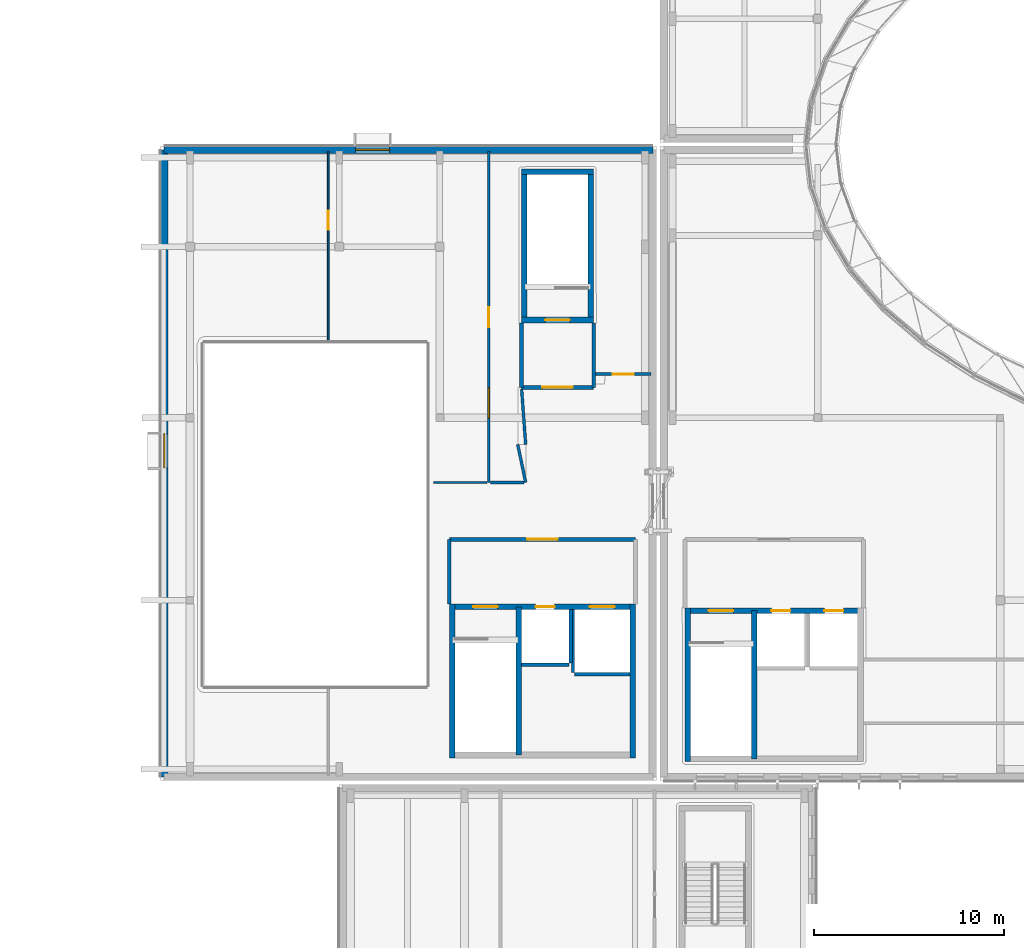
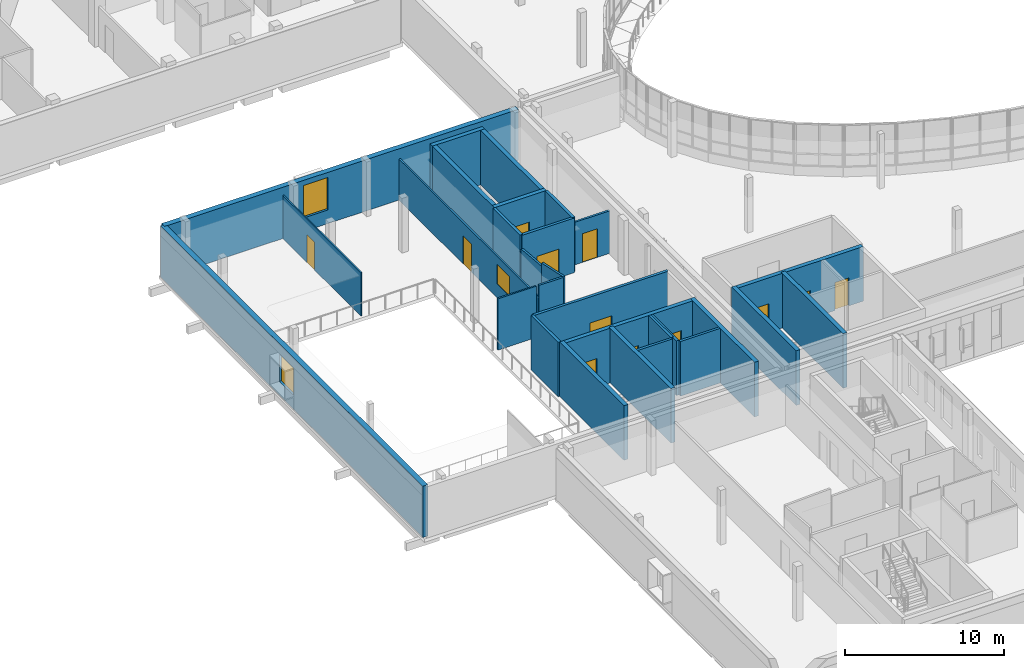
# One storey, part 39 of 73: 29 walls, 12 doors, 3 windows, 15 openings.
"""IFC4 building model written with IfcOpenShell, lengths in metres."""

from ifc_helpers import new_model, si_unit, direction, frame, frame_2d, origin, place, context, subcontext, project, spatial, rectangle, extrude, material, layer, layer_set, type_object, element, fill, save


model = new_model("IFC4")

# Units and contexts
model_context = context("Model", 3, precision=1e-05, world=origin(), true_north=direction((0.0, 1.0)))
body_context = subcontext(model_context, "Body", "Model", "MODEL_VIEW")
ifc_project = project(units=[si_unit("LENGTHUNIT", "METRE"), si_unit("AREAUNIT", "SQUARE_METRE"), si_unit("VOLUMEUNIT", "CUBIC_METRE"), si_unit("PLANEANGLEUNIT", "RADIAN"), si_unit("MASSUNIT", "GRAM", prefix="KILO")], contexts=[model_context])

# Site, building, storey
site_placement = place(None, origin())
site = spatial("IfcSite", under=ifc_project, at=site_placement, CompositionType="ELEMENT")
building_placement = place(site_placement, origin())
building = spatial("IfcBuilding", under=site, at=building_placement, Name="Mzevani Central Library", CompositionType="ELEMENT")
storey_placement = place(building_placement, frame((0.0, 0.0, 9.60009765625)))
storey = spatial("IfcBuildingStorey", under=building, at=storey_placement, Name="L02", CompositionType="ELEMENT", Elevation=9.60009765625)

# Wall
ifc_material_1 = material(Name="Concrete C35/45", Category="concrete")
ifc_layer_1 = layer(ifc_material_1, 0.199951171875, Name="Compartment Wall 200")
ifc_layer_set_1 = layer_set([ifc_layer_1], Name="Concrete C35/45")
wall_type_1 = type_object("IfcWallType", Name="Compartment Wall 200", PredefinedType="STANDARD", material=ifc_layer_set_1)
wall_1_placement = place(storey_placement, frame((35.0, 51.800048828125, 0.0), z_axis=(0.0, 0.0, 1.0), x_axis=(0.0, 1.0, 0.0)))
element("IfcWall", 1, at=wall_1_placement, inside=storey, type_object=wall_type_1, Name="L02 Protected Stair Lobby C5A Enclosure Wall 1", PredefinedType="STANDARD", context=body_context, shape_type="SweptSolid", body=[
    extrude(rectangle(XDim=3.39990234375, YDim=0.199951171875, at=frame_2d((1.699951171875, 0.0))), origin(), (0.0, 0.0, 1.0), 4.199951171875),
])

# Wall, opening, door
wall_2_placement = place(storey_placement, frame((35.0, 55.199951171875, 0.0), z_axis=(0.0, 0.0, 1.0), x_axis=(1.0, 0.0, 0.0)))
wall_2 = element("IfcWall", 2, at=wall_2_placement, inside=storey, type_object=wall_type_1, Name="L02 Protected Stair Lobby C5A Enclosure Wall 2", PredefinedType="STANDARD", context=body_context, shape_type="SweptSolid", body=[
    extrude(rectangle(XDim=9.800048828125, YDim=0.199951171875, at=frame_2d((4.89990234375, 0.0))), origin(), (0.0, 0.0, 1.0), 4.199951171875),
])
opening_1_placement = place(wall_2_placement, frame((4.10009765625, 0.0, 0.0)))
opening_1 = element("IfcOpeningElement", 3, at=opening_1_placement, cuts=wall_2, Name="Opening FD-02", PredefinedType="OPENING", context=body_context, shape_type="SweptSolid", body=[
    extrude(rectangle(XDim=1.60009765625, YDim=2.199951171875, at=frame_2d((0.800048828125, 1.10009765625))), frame((0.0, 0.10986328125, 0.0), z_axis=(0.0, -1.0, 0.0), x_axis=(1.0, 0.0, 0.0)), (0.0, 0.0, 1.0), 0.219970703125),
])
ifc_material_2 = material(Name="Fire-rated steel door assembly", Category="steel")
door_type_1 = type_object("IfcDoorType", Name="Fire Lobby Double Door 1600x2200", OperationType="NOTDEFINED", PredefinedType="DOOR", material=ifc_material_2)
door_1_placement = place(opening_1_placement, origin())
door_1 = element("IfcDoor", 4, at=door_1_placement, inside=storey, type_object=door_type_1, Name="L02 Protected Stair Lobby C5A Smoke-Control Door", OperationType="DOUBLE_DOOR_SINGLE_SWING", OverallHeight=2.199951171875, OverallWidth=1.60009765625, PredefinedType="DOOR", context=body_context, shape_type="SweptSolid", body=[
    extrude(rectangle(XDim=1.60009765625, YDim=2.199951171875, at=frame_2d((0.800048828125, 1.10009765625))), frame((0.0, 0.02490234375, 0.0), z_axis=(0.0, -1.0, 0.0), x_axis=(1.0, 0.0, 0.0)), (0.0, 0.0, 1.0), 0.050048828125),
])
fill(opening_1, door_1)

# Wall
wall_3_placement = place(storey_placement, frame((38.800048828125, 66.60009765625, 0.0), z_axis=(0.0, 0.0, 1.0), x_axis=(0.0, -1.0, 0.0)))
element("IfcWall", 5, at=wall_3_placement, inside=storey, type_object=wall_type_1, Name="L02 Stair Vestibule C5B Enclosure Wall 1", PredefinedType="STANDARD", context=body_context, shape_type="SweptSolid", body=[
    extrude(rectangle(XDim=3.400146484375, YDim=0.199951171875, at=frame_2d((1.7001953125, 0.0))), origin(), (0.0, 0.0, 1.0), 4.199951171875),
])

# Wall, opening, door
wall_4_placement = place(storey_placement, frame((38.800048828125, 63.199951171875, 0.0), z_axis=(0.0, 0.0, 1.0), x_axis=(1.0, 0.0, 0.0)))
wall_4 = element("IfcWall", 6, at=wall_4_placement, inside=storey, type_object=wall_type_1, Name="L02 Stair Vestibule C5B Enclosure Wall 2", PredefinedType="STANDARD", context=body_context, shape_type="SweptSolid", body=[
    extrude(rectangle(XDim=3.800048828125, YDim=0.199951171875, at=frame_2d((1.89990234375, 0.0))), origin(), (0.0, 0.0, 1.0), 4.199951171875),
])
opening_2_placement = place(wall_4_placement, frame((1.10009765625, 0.0, 0.0)))
opening_2 = element("IfcOpeningElement", 7, at=opening_2_placement, cuts=wall_4, Name="Opening FD-02", PredefinedType="OPENING", context=body_context, shape_type="SweptSolid", body=[
    extrude(rectangle(XDim=1.60009765625, YDim=2.199951171875, at=frame_2d((0.800048828125, 1.10009765625))), frame((0.0, 0.10986328125, 0.0), z_axis=(0.0, -1.0, 0.0), x_axis=(1.0, 0.0, 0.0)), (0.0, 0.0, 1.0), 0.219970703125),
])
door_2_placement = place(opening_2_placement, origin())
door_2 = element("IfcDoor", 8, at=door_2_placement, inside=storey, type_object=door_type_1, Name="L02 Stair Vestibule C5B Smoke-Control Door", OperationType="DOUBLE_DOOR_SINGLE_SWING", OverallHeight=2.199951171875, OverallWidth=1.60009765625, PredefinedType="DOOR", context=body_context, shape_type="SweptSolid", body=[
    extrude(rectangle(XDim=1.60009765625, YDim=2.199951171875, at=frame_2d((0.800048828125, 1.10009765625))), frame((0.0, 0.02490234375, 0.0), z_axis=(0.0, -1.0, 0.0), x_axis=(1.0, 0.0, 0.0)), (0.0, 0.0, 1.0), 0.050048828125),
])
fill(opening_2, door_2)

# Walls
wall_5_placement = place(storey_placement, frame((42.60009765625, 63.199951171875, 0.0), z_axis=(0.0, 0.0, 1.0), x_axis=(0.0, 1.0, 0.0)))
element("IfcWall", 9, at=wall_5_placement, inside=storey, type_object=wall_type_1, Name="L02 Stair Vestibule C5B Enclosure Wall 3", PredefinedType="STANDARD", context=body_context, shape_type="SweptSolid", body=[
    extrude(rectangle(XDim=3.400146484375, YDim=0.199951171875, at=frame_2d((1.7001953125, 0.0))), origin(), (0.0, 0.0, 1.0), 4.199951171875),
])
ifc_material_3 = material(Name="Concrete C40/50", Category="concrete")
ifc_layer_2 = layer(ifc_material_3, 0.300048828125, Name="Core Shear Wall 300")
ifc_layer_set_2 = layer_set([ifc_layer_2], Name="Concrete C40/50")
wall_type_2 = type_object("IfcWallType", Name="Core Shear Wall 300", PredefinedType="SHEAR", material=ifc_layer_set_2)
wall_6_placement = place(storey_placement, frame((47.550048828125, 43.5, 0.0), z_axis=(0.0, 0.0, 1.0), x_axis=(0.0, 1.0, 0.0)))
element("IfcWall", 10, at=wall_6_placement, inside=storey, type_object=wall_type_2, Name="L02 Core C1A Reading Hall West Shear Wall (-x)", PredefinedType="SHEAR", context=body_context, shape_type="SweptSolid", body=[
    extrude(rectangle(XDim=8.10009765625, YDim=0.300048828125, at=frame_2d((4.050048828125, 0.0))), origin(), (0.0, 0.0, 1.0), 4.199951171875),
])

# Wall, openings, doors
wall_7_placement = place(storey_placement, frame((47.39990234375, 51.449951171875, 0.0), z_axis=(0.0, 0.0, 1.0), x_axis=(1.0, 0.0, 0.0)))
wall_7 = element("IfcWall", 11, at=wall_7_placement, inside=storey, type_object=wall_type_2, Name="L02 Core C1A Reading Hall West Shear Wall (+y)", PredefinedType="SHEAR", context=body_context, shape_type="SweptSolid", body=[
    extrude(rectangle(XDim=9.400146484375, YDim=0.300048828125, at=frame_2d((4.7001953125, 0.0))), origin(), (0.0, 0.0, 1.0), 4.199951171875),
])
opening_3_placement = place(wall_7_placement, frame((1.25, 0.0, 0.0)))
opening_3 = element("IfcOpeningElement", 12, at=opening_3_placement, cuts=wall_7, Name="Opening FD-01", PredefinedType="OPENING", context=body_context, shape_type="SweptSolid", body=[
    extrude(rectangle(XDim=1.300048828125, YDim=2.199951171875, at=frame_2d((0.64990234375, 1.10009765625))), frame((0.0, 0.16015625, 0.0), z_axis=(0.0, -1.0, 0.0), x_axis=(1.0, 0.0, 0.0)), (0.0, 0.0, 1.0), 0.320068359375),
])
opening_4_placement = place(wall_7_placement, frame((4.550048828125, 0.0, 0.0)))
opening_4 = element("IfcOpeningElement", 13, at=opening_4_placement, cuts=wall_7, Name="Opening LD-01", PredefinedType="OPENING", context=body_context, shape_type="SweptSolid", body=[
    extrude(rectangle(XDim=1.0, YDim=2.14990234375, at=frame_2d((0.5, 1.074951171875))), frame((0.0, 0.16015625, 0.0), z_axis=(0.0, -1.0, 0.0), x_axis=(1.0, 0.0, 0.0)), (0.0, 0.0, 1.0), 0.320068359375),
])
opening_5_placement = place(wall_7_placement, frame((7.35009765625, 0.0, 0.0)))
opening_5 = element("IfcOpeningElement", 14, at=opening_5_placement, cuts=wall_7, Name="Opening LD-01", PredefinedType="OPENING", context=body_context, shape_type="SweptSolid", body=[
    extrude(rectangle(XDim=1.0, YDim=2.14990234375, at=frame_2d((0.5, 1.074951171875))), frame((0.0, 0.16015625, 0.0), z_axis=(0.0, -1.0, 0.0), x_axis=(1.0, 0.0, 0.0)), (0.0, 0.0, 1.0), 0.320068359375),
])
door_type_2 = type_object("IfcDoorType", Name="Fire Stair Door 1300x2200", OperationType="NOTDEFINED", PredefinedType="DOOR", material=ifc_material_2)
door_3_placement = place(opening_3_placement, origin())
door_3 = element("IfcDoor", 15, at=door_3_placement, inside=storey, type_object=door_type_2, Name="L02 ST-01 Protected Exit Stair Door", OperationType="SINGLE_SWING_RIGHT", OverallHeight=2.199951171875, OverallWidth=1.300048828125, PredefinedType="DOOR", context=body_context, shape_type="SweptSolid", body=[
    extrude(rectangle(XDim=1.300048828125, YDim=2.199951171875, at=frame_2d((0.64990234375, 1.10009765625))), frame((0.0, 0.02490234375, 0.0), z_axis=(0.0, -1.0, 0.0), x_axis=(1.0, 0.0, 0.0)), (0.0, 0.0, 1.0), 0.050048828125),
])
fill(opening_3, door_3)
ifc_material_4 = material(Name="Brushed stainless steel door", Category="steel")
door_type_3 = type_object("IfcDoorType", Name="Passenger Lift Landing Door 1000x2150", OperationType="NOTDEFINED", PredefinedType="DOOR", material=ifc_material_4)
door_4_placement = place(opening_4_placement, origin())
door_4 = element("IfcDoor", 16, at=door_4_placement, inside=storey, type_object=door_type_3, Name="L02 Lift LF-P1 Sliding Landing Door", OperationType="SLIDING_TO_LEFT", OverallHeight=2.14990234375, OverallWidth=1.0, PredefinedType="DOOR", context=body_context, shape_type="SweptSolid", body=[
    extrude(rectangle(XDim=1.0, YDim=2.14990234375, at=frame_2d((0.5, 1.074951171875))), frame((0.0, 0.02490234375, 0.0), z_axis=(0.0, -1.0, 0.0), x_axis=(1.0, 0.0, 0.0)), (0.0, 0.0, 1.0), 0.050048828125),
])
fill(opening_4, door_4)
door_5_placement = place(opening_5_placement, origin())
door_5 = element("IfcDoor", 17, at=door_5_placement, inside=storey, type_object=door_type_3, Name="L02 Lift LF-P2 Sliding Landing Door", OperationType="SLIDING_TO_LEFT", OverallHeight=2.14990234375, OverallWidth=1.0, PredefinedType="DOOR", context=body_context, shape_type="SweptSolid", body=[
    extrude(rectangle(XDim=1.0, YDim=2.14990234375, at=frame_2d((0.5, 1.074951171875))), frame((0.0, 0.02490234375, 0.0), z_axis=(0.0, -1.0, 0.0), x_axis=(1.0, 0.0, 0.0)), (0.0, 0.0, 1.0), 0.050048828125),
])
fill(opening_5, door_5)

# Walls
wall_8_placement = place(storey_placement, frame((51.050048828125, 43.64990234375, 0.0), z_axis=(0.0, 0.0, 1.0), x_axis=(0.0, 1.0, 0.0)))
element("IfcWall", 18, at=wall_8_placement, inside=storey, type_object=wall_type_2, Name="L02 Core C1A Reading Hall West Hoistway Shear Wall", PredefinedType="SHEAR", context=body_context, shape_type="SweptSolid", body=[
    extrude(rectangle(XDim=7.800048828125, YDim=0.300048828125, at=frame_2d((3.89990234375, 0.0))), origin(), (0.0, 0.0, 1.0), 4.199951171875),
])
wall_9_placement = place(storey_placement, frame((35.14990234375, 43.699951171875, 0.0), z_axis=(0.0, 0.0, 1.0), x_axis=(0.0, 1.0, 0.0)))
element("IfcWall", 19, at=wall_9_placement, inside=storey, type_object=wall_type_2, Name="L02 Core C5A Auditorium & Goods Core Shear Wall (-x)", PredefinedType="SHEAR", context=body_context, shape_type="SweptSolid", body=[
    extrude(rectangle(XDim=8.10009765625, YDim=0.300048828125, at=frame_2d((4.050048828125, 0.0))), origin(), (0.0, 0.0, 1.0), 4.199951171875),
])

# Wall, openings, doors
wall_10_placement = place(storey_placement, frame((35.0, 51.64990234375, 0.0), z_axis=(0.0, 0.0, 1.0), x_axis=(1.0, 0.0, 0.0)))
wall_10 = element("IfcWall", 20, at=wall_10_placement, inside=storey, type_object=wall_type_2, Name="L02 Core C5A Auditorium & Goods Core Shear Wall (+y)", PredefinedType="SHEAR", context=body_context, shape_type="SweptSolid", body=[
    extrude(rectangle(XDim=9.800048828125, YDim=0.300048828125, at=frame_2d((4.89990234375, 0.0))), origin(), (0.0, 0.0, 1.0), 4.199951171875),
])
opening_6_placement = place(wall_10_placement, frame((1.25, 0.0, 0.0)))
opening_6 = element("IfcOpeningElement", 21, at=opening_6_placement, cuts=wall_10, Name="Opening FD-01", PredefinedType="OPENING", context=body_context, shape_type="SweptSolid", body=[
    extrude(rectangle(XDim=1.300048828125, YDim=2.199951171875, at=frame_2d((0.64990234375, 1.10009765625))), frame((0.0, 0.16015625, 0.0), z_axis=(0.0, -1.0, 0.0), x_axis=(1.0, 0.0, 0.0)), (0.0, 0.0, 1.0), 0.320068359375),
])
opening_7_placement = place(wall_10_placement, frame((4.550048828125, 0.0, 0.0)))
opening_7 = element("IfcOpeningElement", 22, at=opening_7_placement, cuts=wall_10, Name="Opening LD-01", PredefinedType="OPENING", context=body_context, shape_type="SweptSolid", body=[
    extrude(rectangle(XDim=1.0, YDim=2.14990234375, at=frame_2d((0.5, 1.074951171875))), frame((0.0, 0.16015625, 0.0), z_axis=(0.0, -1.0, 0.0), x_axis=(1.0, 0.0, 0.0)), (0.0, 0.0, 1.0), 0.320068359375),
])
opening_8_placement = place(wall_10_placement, frame((7.39990234375, 0.0, 0.0)))
opening_8 = element("IfcOpeningElement", 23, at=opening_8_placement, cuts=wall_10, Name="Opening LD-03", PredefinedType="OPENING", context=body_context, shape_type="SweptSolid", body=[
    extrude(rectangle(XDim=1.300048828125, YDim=2.199951171875, at=frame_2d((0.64990234375, 1.10009765625))), frame((0.0, 0.16015625, 0.0), z_axis=(0.0, -1.0, 0.0), x_axis=(1.0, 0.0, 0.0)), (0.0, 0.0, 1.0), 0.320068359375),
])
door_6_placement = place(opening_6_placement, origin())
door_6 = element("IfcDoor", 24, at=door_6_placement, inside=storey, type_object=door_type_2, Name="L02 ST-09 Protected Exit Stair Door", OperationType="SINGLE_SWING_LEFT", OverallHeight=2.199951171875, OverallWidth=1.300048828125, PredefinedType="DOOR", context=body_context, shape_type="SweptSolid", body=[
    extrude(rectangle(XDim=1.300048828125, YDim=2.199951171875, at=frame_2d((0.64990234375, 1.10009765625))), frame((0.0, 0.02490234375, 0.0), z_axis=(0.0, -1.0, 0.0), x_axis=(1.0, 0.0, 0.0)), (0.0, 0.0, 1.0), 0.050048828125),
])
fill(opening_6, door_6)
door_type_4 = type_object("IfcDoorType", Name="Goods Lift Landing Door 1300x2200", OperationType="NOTDEFINED", PredefinedType="DOOR", material=ifc_material_4)
door_7_placement = place(opening_8_placement, origin())
door_7 = element("IfcDoor", 25, at=door_7_placement, inside=storey, type_object=door_type_4, Name="L02 Lift LF-G1 Sliding Landing Door", OperationType="SLIDING_TO_LEFT", OverallHeight=2.199951171875, OverallWidth=1.300048828125, PredefinedType="DOOR", context=body_context, shape_type="SweptSolid", body=[
    extrude(rectangle(XDim=1.300048828125, YDim=2.199951171875, at=frame_2d((0.64990234375, 1.10009765625))), frame((0.0, 0.02490234375, 0.0), z_axis=(0.0, -1.0, 0.0), x_axis=(1.0, 0.0, 0.0)), (0.0, 0.0, 1.0), 0.050048828125),
])
fill(opening_8, door_7)
door_8_placement = place(opening_7_placement, origin())
door_8 = element("IfcDoor", 26, at=door_8_placement, inside=storey, type_object=door_type_3, Name="L02 Lift LF-P4 Sliding Landing Door", OperationType="SLIDING_TO_LEFT", OverallHeight=2.14990234375, OverallWidth=1.0, PredefinedType="DOOR", context=body_context, shape_type="SweptSolid", body=[
    extrude(rectangle(XDim=1.0, YDim=2.14990234375, at=frame_2d((0.5, 1.074951171875))), frame((0.0, 0.02490234375, 0.0), z_axis=(0.0, -1.0, 0.0), x_axis=(1.0, 0.0, 0.0)), (0.0, 0.0, 1.0), 0.050048828125),
])
fill(opening_7, door_8)

# Walls
wall_11_placement = place(storey_placement, frame((44.64990234375, 51.800048828125, 0.0), z_axis=(0.0, 0.0, 1.0), x_axis=(0.0, -1.0, 0.0)))
element("IfcWall", 27, at=wall_11_placement, inside=storey, type_object=wall_type_2, Name="L02 Core C5A Auditorium & Goods Core Shear Wall (+x)", PredefinedType="SHEAR", context=body_context, shape_type="SweptSolid", body=[
    extrude(rectangle(XDim=8.10009765625, YDim=0.300048828125, at=frame_2d((4.050048828125, 0.0))), origin(), (0.0, 0.0, 1.0), 4.199951171875),
])
wall_12_placement = place(storey_placement, frame((38.64990234375, 43.85009765625, 0.0), z_axis=(0.0, 0.0, 1.0), x_axis=(0.0, 1.0, 0.0)))
element("IfcWall", 28, at=wall_12_placement, inside=storey, type_object=wall_type_2, Name="L02 Core C5A Auditorium & Goods Core Hoistway Shear Wall", PredefinedType="SHEAR", context=body_context, shape_type="SweptSolid", body=[
    extrude(rectangle(XDim=7.7998046875, YDim=0.300048828125, at=frame_2d((3.89990234375, 0.0))), origin(), (0.0, 0.0, 1.0), 4.199951171875),
])

# Wall, opening, door
wall_13_placement = place(storey_placement, frame((42.60009765625, 66.75, 0.0), z_axis=(0.0, 0.0, 1.0), x_axis=(-1.0, 0.0, 0.0)))
wall_13 = element("IfcWall", 29, at=wall_13_placement, inside=storey, type_object=wall_type_2, Name="L02 Core C5B Lecture North Escape Stair Shear Wall (-y)", PredefinedType="SHEAR", context=body_context, shape_type="SweptSolid", body=[
    extrude(rectangle(XDim=3.800048828125, YDim=0.300048828125, at=frame_2d((1.89990234375, 0.0))), origin(), (0.0, 0.0, 1.0), 4.199951171875),
])
opening_9_placement = place(wall_13_placement, frame((1.25, 0.0, 0.0)))
opening_9 = element("IfcOpeningElement", 30, at=opening_9_placement, cuts=wall_13, Name="Opening FD-01", PredefinedType="OPENING", context=body_context, shape_type="SweptSolid", body=[
    extrude(rectangle(XDim=1.300048828125, YDim=2.199951171875, at=frame_2d((0.64990234375, 1.10009765625))), frame((0.0, 0.16015625, 0.0), z_axis=(0.0, -1.0, 0.0), x_axis=(1.0, 0.0, 0.0)), (0.0, 0.0, 1.0), 0.320068359375),
])
door_9_placement = place(opening_9_placement, origin())
door_9 = element("IfcDoor", 31, at=door_9_placement, inside=storey, type_object=door_type_2, Name="L02 ST-10 Protected Exit Stair Door", OperationType="SINGLE_SWING_LEFT", OverallHeight=2.199951171875, OverallWidth=1.300048828125, PredefinedType="DOOR", context=body_context, shape_type="SweptSolid", body=[
    extrude(rectangle(XDim=1.300048828125, YDim=2.199951171875, at=frame_2d((0.64990234375, 1.10009765625))), frame((0.0, 0.02490234375, 0.0), z_axis=(0.0, -1.0, 0.0), x_axis=(1.0, 0.0, 0.0)), (0.0, 0.0, 1.0), 0.050048828125),
])
fill(opening_9, door_9)

# Walls
wall_14_placement = place(storey_placement, frame((38.949951171875, 66.60009765625, 0.0), z_axis=(0.0, 0.0, 1.0), x_axis=(0.0, 1.0, 0.0)))
element("IfcWall", 32, at=wall_14_placement, inside=storey, type_object=wall_type_2, Name="L02 Core C5B Lecture North Escape Stair Shear Wall (-x)", PredefinedType="SHEAR", context=body_context, shape_type="SweptSolid", body=[
    extrude(rectangle(XDim=8.099853515625, YDim=0.300048828125, at=frame_2d((4.0498046875, 0.0))), origin(), (0.0, 0.0, 1.0), 4.199951171875),
])
wall_15_placement = place(storey_placement, frame((38.800048828125, 74.550048828125, 0.0), z_axis=(0.0, 0.0, 1.0), x_axis=(1.0, 0.0, 0.0)))
element("IfcWall", 33, at=wall_15_placement, inside=storey, type_object=wall_type_2, Name="L02 Core C5B Lecture North Escape Stair Shear Wall (+y)", PredefinedType="SHEAR", context=body_context, shape_type="SweptSolid", body=[
    extrude(rectangle(XDim=3.800048828125, YDim=0.300048828125, at=frame_2d((1.89990234375, 0.0))), origin(), (0.0, 0.0, 1.0), 4.199951171875),
])
wall_16_placement = place(storey_placement, frame((42.449951171875, 74.699951171875, 0.0), z_axis=(0.0, 0.0, 1.0), x_axis=(0.0, -1.0, 0.0)))
element("IfcWall", 34, at=wall_16_placement, inside=storey, type_object=wall_type_2, Name="L02 Core C5B Lecture North Escape Stair Shear Wall (+x)", PredefinedType="SHEAR", context=body_context, shape_type="SweptSolid", body=[
    extrude(rectangle(XDim=8.099853515625, YDim=0.300048828125, at=frame_2d((4.0498046875, 0.0))), origin(), (0.0, 0.0, 1.0), 4.199951171875),
])

# Wall, opening, window
ifc_material_5 = material(Name="Precast concrete C40/50", Category="concrete")
ifc_layer_3 = layer(ifc_material_5, 0.3798828125, Name="Exterior Thermal Concrete Wall 380")
ifc_layer_set_3 = layer_set([ifc_layer_3], Name="Precast concrete C40/50")
wall_type_3 = type_object("IfcWallType", Name="Exterior Thermal Concrete Wall 380", PredefinedType="STANDARD", material=ifc_layer_set_3)
wall_17_placement = place(storey_placement, frame((19.989990234375, 42.68994140625, 0.0), z_axis=(0.0, 0.0, 1.0), x_axis=(0.0, 1.0, 0.0)))
wall_17 = element("IfcWall", 35, at=wall_17_placement, inside=storey, type_object=wall_type_3, Name="L02 V5 Exterior Thermal Wall (96)", PredefinedType="STANDARD", context=body_context, shape_type="SweptSolid", body=[
    extrude(rectangle(XDim=33.02001953125, YDim=0.3798828125, at=frame_2d((16.510009765625, 0.0))), origin(), (0.0, 0.0, 1.0), 3.93994140625),
])
opening_10_placement = place(wall_17_placement, frame((16.2705078125, 0.0, 1.050048828125)))
opening_10 = element("IfcOpeningElement", 36, at=opening_10_placement, cuts=wall_17, Name="Opening W-14", PredefinedType="OPENING", context=body_context, shape_type="SweptSolid", body=[
    extrude(rectangle(XDim=1.800048828125, YDim=2.10009765625, at=frame_2d((0.89990234375, 1.050048828125))), frame((0.0, 0.199951171875, 0.0), z_axis=(0.0, -1.0, 0.0), x_axis=(1.0, 0.0, 0.0)), (0.0, 0.0, 1.0), 0.39990234375),
])
ifc_material_6 = material(Name="Low-E triple glazing glass", Category="glass")
window_type_1 = type_object("IfcWindowType", Name="Deep Reveal Window 1800x2100", PartitioningType="SINGLE_PANEL", PredefinedType="WINDOW", material=ifc_material_6)
window_1_placement = place(opening_10_placement, origin())
window_1 = element("IfcWindow", 37, at=window_1_placement, inside=storey, type_object=window_type_1, Name="L02 V5 Deep-Reveal Window W-14 (190)", OverallHeight=2.10009765625, OverallWidth=1.800048828125, PartitioningType="SINGLE_PANEL", PredefinedType="WINDOW", context=body_context, shape_type="SweptSolid", body=[
    extrude(rectangle(XDim=1.800048828125, YDim=2.10009765625, at=frame_2d((0.89990234375, 1.050048828125))), frame((0.0, 0.030029296875, 0.0), z_axis=(0.0, -1.0, 0.0), x_axis=(1.0, 0.0, 0.0)), (0.0, 0.0, 1.0), 0.06005859375),
])
fill(opening_10, window_1)

wall_18_placement = place(storey_placement, frame((19.989990234375, 75.7099609375, 0.0), z_axis=(0.0, 0.0, 1.0), x_axis=(1.0, 0.0, 0.0)))
wall_18 = element("IfcWall", 38, at=wall_18_placement, inside=storey, type_object=wall_type_3, Name="L02 V5 Exterior Thermal Wall (97)", PredefinedType="STANDARD", context=body_context, shape_type="SweptSolid", body=[
    extrude(rectangle(XDim=25.719970703125, YDim=0.3798828125, at=frame_2d((12.85986328125, 0.0))), origin(), (0.0, 0.0, 1.0), 3.93994140625),
])
opening_11_placement = place(wall_18_placement, frame((10.074462890625, 0.0, 1.050048828125)))
opening_11 = element("IfcOpeningElement", 39, at=opening_11_placement, cuts=wall_18, Name="Opening W-15", PredefinedType="OPENING", context=body_context, shape_type="SweptSolid", body=[
    extrude(rectangle(XDim=1.800048828125, YDim=2.5, at=frame_2d((0.89990234375, 1.25))), frame((0.0, 0.199951171875, 0.0), z_axis=(0.0, -1.0, 0.0), x_axis=(1.0, 0.0, 0.0)), (0.0, 0.0, 1.0), 0.39990234375),
])
window_type_2 = type_object("IfcWindowType", Name="Deep Reveal Window 1800x2500", PartitioningType="SINGLE_PANEL", PredefinedType="WINDOW", material=ifc_material_6)
window_2_placement = place(opening_11_placement, origin())
window_2 = element("IfcWindow", 40, at=window_2_placement, inside=storey, type_object=window_type_2, Name="L02 V5 Deep-Reveal Window W-15 (191)", OverallHeight=2.5, OverallWidth=1.800048828125, PartitioningType="SINGLE_PANEL", PredefinedType="WINDOW", context=body_context, shape_type="SweptSolid", body=[
    extrude(rectangle(XDim=1.800048828125, YDim=2.5, at=frame_2d((0.89990234375, 1.25))), frame((0.0, 0.030029296875, 0.0), z_axis=(0.0, -1.0, 0.0), x_axis=(1.0, 0.0, 0.0)), (0.0, 0.0, 1.0), 0.06005859375),
])
fill(opening_11, window_2)

# Wall, openings, door, window
ifc_material_7 = material(Name="Fire-rated gypsum board", Category="gypsum")
ifc_layer_4 = layer(ifc_material_7, 0.1201171875, Name="Partition Acoustic 120")
ifc_layer_set_4 = layer_set([ifc_layer_4], Name="Fire-rated gypsum board")
wall_type_4 = type_object("IfcWallType", Name="Partition Acoustic 120", PredefinedType="PARTITIONING", material=ifc_layer_set_4)
wall_19_placement = place(storey_placement, frame((37.0732421875, 75.610107421875, 0.0), z_axis=(0.0, 0.0, 1.0), x_axis=(0.0, -1.0, 0.0)))
wall_19 = element("IfcWall", 41, at=wall_19_placement, inside=storey, type_object=wall_type_4, Name="L02 V5 Partition IW-02 (471)", PredefinedType="PARTITIONING", context=body_context, shape_type="SweptSolid", body=[
    extrude(rectangle(XDim=17.41015625, YDim=0.1201171875, at=frame_2d((8.705078125, 0.0))), origin(), (0.0, 0.0, 1.0), 3.169921875),
])
opening_12_placement = place(wall_19_placement, frame((8.179931640625, 0.0, 0.0)))
opening_12 = element("IfcOpeningElement", 42, at=opening_12_placement, cuts=wall_19, Name="Opening ID-05", PredefinedType="OPENING", context=body_context, shape_type="SweptSolid", body=[
    extrude(rectangle(XDim=1.050048828125, YDim=2.14990234375, at=frame_2d((0.52490234375, 1.074951171875))), frame((0.0, 0.070068359375, 0.0), z_axis=(0.0, -1.0, 0.0), x_axis=(1.0, 0.0, 0.0)), (0.0, 0.0, 1.0), 0.14013671875),
])
opening_13_placement = place(wall_19_placement, frame((12.431640625, 0.0, 1.050048828125)))
opening_13 = element("IfcOpeningElement", 43, at=opening_13_placement, cuts=wall_19, Name="Opening IW-W01", PredefinedType="OPENING", context=body_context, shape_type="SweptSolid", body=[
    extrude(rectangle(XDim=1.60009765625, YDim=1.5, at=frame_2d((0.800048828125, 0.75))), frame((0.0, 0.070068359375, 0.0), z_axis=(0.0, -1.0, 0.0), x_axis=(1.0, 0.0, 0.0)), (0.0, 0.0, 1.0), 0.14013671875),
])
ifc_material_8 = material(Name="Fire-rated solid oak leaf")
door_type_5 = type_object("IfcDoorType", Name="Conservation Lab Door 1050x2150", OperationType="NOTDEFINED", PredefinedType="DOOR", material=ifc_material_8)
door_10_placement = place(opening_12_placement, origin())
door_10 = element("IfcDoor", 44, at=door_10_placement, inside=storey, type_object=door_type_5, Name="L02 Acoustic Control and Broadcast Room Door", OperationType="SINGLE_SWING_LEFT", OverallHeight=2.14990234375, OverallWidth=1.050048828125, PredefinedType="DOOR", context=body_context, shape_type="SweptSolid", body=[
    extrude(rectangle(XDim=1.050048828125, YDim=2.14990234375, at=frame_2d((0.52490234375, 1.074951171875))), frame((0.0, 0.02490234375, 0.0), z_axis=(0.0, -1.0, 0.0), x_axis=(1.0, 0.0, 0.0)), (0.0, 0.0, 1.0), 0.050048828125),
])
fill(opening_12, door_10)
window_type_3 = type_object("IfcWindowType", Name="Interior Borrowed Light 1600x1500", PartitioningType="SINGLE_PANEL", PredefinedType="WINDOW", material=ifc_material_6)
window_3_placement = place(opening_13_placement, origin())
window_3 = element("IfcWindow", 45, at=window_3_placement, inside=storey, type_object=window_type_3, Name="L02 Symposium Breakout Seminar Room Acoustic Borrowed Light", OverallHeight=1.5, OverallWidth=1.60009765625, PartitioningType="SINGLE_PANEL", PredefinedType="WINDOW", context=body_context, shape_type="SweptSolid", body=[
    extrude(rectangle(XDim=1.60009765625, YDim=1.5, at=frame_2d((0.800048828125, 0.75))), frame((0.0, 0.030029296875, 0.0), z_axis=(0.0, -1.0, 0.0), x_axis=(1.0, 0.0, 0.0)), (0.0, 0.0, 1.0), 0.06005859375),
])
fill(opening_13, window_3)

# Wall
wall_20_placement = place(storey_placement, frame((36.973388671875, 58.199951171875, 0.0), z_axis=(0.0, 0.0, 1.0), x_axis=(-1.0, 0.0, 0.0)))
element("IfcWall", 46, at=wall_20_placement, inside=storey, type_object=wall_type_4, Name="L02 V5 Partition IW-02 (472)", PredefinedType="PARTITIONING", context=body_context, shape_type="SweptSolid", body=[
    extrude(rectangle(XDim=2.79345703125, YDim=0.1201171875, at=frame_2d((1.396728515625, 0.0))), origin(), (0.0, 0.0, 1.0), 3.93994140625),
])

# Wall, opening, door
ifc_layer_5 = layer(ifc_material_7, 0.10009765625, Name="Partition Gypsum 100")
ifc_layer_set_5 = layer_set([ifc_layer_5], Name="Fire-rated gypsum board")
wall_type_5 = type_object("IfcWallType", Name="Partition Gypsum 100", PredefinedType="PARTITIONING", material=ifc_layer_set_5)
wall_21_placement = place(storey_placement, frame((28.626708984375, 75.610107421875, 0.0), z_axis=(0.0, 0.0, 1.0), x_axis=(0.0, -1.0, 0.0)))
wall_21 = element("IfcWall", 47, at=wall_21_placement, inside=storey, type_object=wall_type_5, Name="L02 V5 Partition IW-01 (469)", PredefinedType="PARTITIONING", context=body_context, shape_type="SweptSolid", body=[
    extrude(rectangle(XDim=9.91015625, YDim=0.10009765625, at=frame_2d((4.955078125, 0.0))), origin(), (0.0, 0.0, 1.0), 3.31982421875),
])
opening_14_placement = place(wall_21_placement, frame((3.10498046875, 0.0, 0.0)))
opening_14 = element("IfcOpeningElement", 48, at=opening_14_placement, cuts=wall_21, Name="Opening ID-04", PredefinedType="OPENING", context=body_context, shape_type="SweptSolid", body=[
    extrude(rectangle(XDim=1.0, YDim=2.14990234375, at=frame_2d((0.5, 1.074951171875))), frame((0.0, 0.06005859375, 0.0), z_axis=(0.0, -1.0, 0.0), x_axis=(1.0, 0.0, 0.0)), (0.0, 0.0, 1.0), 0.1201171875),
])
door_type_6 = type_object("IfcDoorType", Name="Staff Office Door 1000x2150", OperationType="NOTDEFINED", PredefinedType="DOOR", material=ifc_material_8)
door_11_placement = place(opening_14_placement, origin())
door_11 = element("IfcDoor", 49, at=door_11_placement, inside=storey, type_object=door_type_6, Name="L02 Simultaneous Interpretation Suite Door", OperationType="SINGLE_SWING_RIGHT", OverallHeight=2.14990234375, OverallWidth=1.0, PredefinedType="DOOR", context=body_context, shape_type="SweptSolid", body=[
    extrude(rectangle(XDim=1.0, YDim=2.14990234375, at=frame_2d((0.5, 1.074951171875))), frame((0.0, 0.02490234375, 0.0), z_axis=(0.0, -1.0, 0.0), x_axis=(1.0, 0.0, 0.0)), (0.0, 0.0, 1.0), 0.050048828125),
])
fill(opening_14, door_11)

ifc_layer_6 = layer(ifc_material_7, 0.14990234375, Name="Partition Study 150")
ifc_layer_set_6 = layer_set([ifc_layer_6], Name="Fire-rated gypsum board")
wall_type_6 = type_object("IfcWallType", Name="Partition Study 150", PredefinedType="PARTITIONING", material=ifc_layer_set_6)
wall_22_placement = place(storey_placement, frame((45.610107421875, 63.89990234375, 0.0), z_axis=(0.0, 0.0, 1.0), x_axis=(-1.0, 0.0, 0.0)))
wall_22 = element("IfcWall", 50, at=wall_22_placement, inside=storey, type_object=wall_type_6, Name="L02 V5 Partition IW-03 (473)", PredefinedType="PARTITIONING", context=body_context, shape_type="SweptSolid", body=[
    extrude(rectangle(XDim=2.91015625, YDim=0.14990234375, at=frame_2d((1.455078125, 0.0))), origin(), (0.0, 0.0, 1.0), 3.27001953125),
])
opening_15_placement = place(wall_22_placement, frame((0.905029296875, 0.0, 0.0)))
opening_15 = element("IfcOpeningElement", 51, at=opening_15_placement, cuts=wall_22, Name="Opening ID-08", PredefinedType="OPENING", context=body_context, shape_type="SweptSolid", body=[
    extrude(rectangle(XDim=1.10009765625, YDim=2.199951171875, at=frame_2d((0.550048828125, 1.10009765625))), frame((0.0, 0.0849609375, 0.0), z_axis=(0.0, -1.0, 0.0), x_axis=(1.0, 0.0, 0.0)), (0.0, 0.0, 1.0), 0.169921875),
])
door_type_7 = type_object("IfcDoorType", Name="Seminar Room Door 1100x2200", OperationType="NOTDEFINED", PredefinedType="DOOR", material=ifc_material_8)
door_12_placement = place(opening_15_placement, origin())
door_12 = element("IfcDoor", 52, at=door_12_placement, inside=storey, type_object=door_type_7, Name="L02 Symposium Breakout Seminar Room Door", OperationType="SINGLE_SWING_RIGHT", OverallHeight=2.199951171875, OverallWidth=1.10009765625, PredefinedType="DOOR", context=body_context, shape_type="SweptSolid", body=[
    extrude(rectangle(XDim=1.10009765625, YDim=2.199951171875, at=frame_2d((0.550048828125, 1.10009765625))), frame((0.0, 0.02490234375, 0.0), z_axis=(0.0, -1.0, 0.0), x_axis=(1.0, 0.0, 0.0)), (0.0, 0.0, 1.0), 0.050048828125),
])
fill(opening_15, door_12)

# Walls
wall_23_placement = place(storey_placement, frame((38.807373046875, 63.100341796875, 0.0), z_axis=(0.0, 0.0, 1.0), x_axis=(0.073120239762, -0.997323132459, 0.0)))
element("IfcWall", 53, at=wall_23_placement, inside=storey, type_object=wall_type_6, Name="L02 V5 Partition IW-03 (474)", PredefinedType="PARTITIONING", context=body_context, shape_type="SweptSolid", body=[
    extrude(rectangle(XDim=2.908203125, YDim=0.14990234375, at=frame_2d((1.4541015625, 0.0))), origin(), (0.0, 0.0, 1.0), 3.169921875),
])
wall_24_placement = place(storey_placement, frame((38.60009765625, 60.199951171875, 0.0), z_axis=(0.0, 0.0, 1.0), x_axis=(0.205480619879, -0.978661184912, 0.0)))
element("IfcWall", 54, at=wall_24_placement, inside=storey, type_object=wall_type_6, Name="L02 V5 Partition IW-03 (475)", PredefinedType="PARTITIONING", context=body_context, shape_type="SweptSolid", body=[
    extrude(rectangle(XDim=2.043701171875, YDim=0.14990234375, at=frame_2d((1.02197265625, 0.0))), origin(), (0.0, 0.0, 1.0), 3.93994140625),
])
wall_25_placement = place(storey_placement, frame((38.919921875, 58.199951171875, 0.0), z_axis=(0.0, 0.0, 1.0), x_axis=(-1.0, 0.0, 0.0)))
element("IfcWall", 55, at=wall_25_placement, inside=storey, type_object=wall_type_6, Name="L02 V5 Partition IW-03 (476)", PredefinedType="PARTITIONING", context=body_context, shape_type="SweptSolid", body=[
    extrude(rectangle(XDim=1.74658203125, YDim=0.14990234375, at=frame_2d((0.873291015625, 0.0))), origin(), (0.0, 0.0, 1.0), 3.93994140625),
])
ifc_material_9 = material(Name="Concrete blockwork masonry", Category="masonry")
ifc_layer_7 = layer(ifc_material_9, 0.179931640625, Name="Shaft Enclosure Wall 180")
ifc_layer_set_7 = layer_set([ifc_layer_7], Name="Concrete blockwork masonry")
wall_type_7 = type_object("IfcWallType", Name="Shaft Enclosure Wall 180", PredefinedType="PARTITIONING", material=ifc_layer_set_7)
wall_26_placement = place(storey_placement, frame((38.800048828125, 48.610107421875, 0.0), z_axis=(0.0, 0.0, 1.0), x_axis=(1.0, 0.0, 0.0)))
element("IfcWall", 56, at=wall_26_placement, inside=storey, type_object=wall_type_7, Name="L02 Lift LF-P4 Hoistway Enclosure Wall", PredefinedType="PARTITIONING", context=body_context, shape_type="SweptSolid", body=[
    extrude(rectangle(XDim=2.5, YDim=0.179931640625, at=frame_2d((1.25, 0.0))), origin(), (0.0, 0.0, 1.0), 4.199951171875),
])
wall_27_placement = place(storey_placement, frame((41.389892578125, 48.699951171875, 0.0), z_axis=(0.0, 0.0, 1.0), x_axis=(0.0, 1.0, 0.0)))
element("IfcWall", 57, at=wall_27_placement, inside=storey, type_object=wall_type_7, Name="L02 Lift LF-P4 Hoistway Enclosure Wall", PredefinedType="PARTITIONING", context=body_context, shape_type="SweptSolid", body=[
    extrude(rectangle(XDim=2.800048828125, YDim=0.179931640625, at=frame_2d((1.39990234375, 0.0))), origin(), (0.0, 0.0, 1.0), 4.199951171875),
])
wall_28_placement = place(storey_placement, frame((41.60009765625, 48.110107421875, 0.0), z_axis=(0.0, 0.0, 1.0), x_axis=(1.0, 0.0, 0.0)))
element("IfcWall", 58, at=wall_28_placement, inside=storey, type_object=wall_type_7, Name="L02 Lift LF-G1 Hoistway Enclosure Wall", PredefinedType="PARTITIONING", context=body_context, shape_type="SweptSolid", body=[
    extrude(rectangle(XDim=2.89990234375, YDim=0.179931640625, at=frame_2d((1.449951171875, 0.0))), origin(), (0.0, 0.0, 1.0), 4.199951171875),
])
wall_29_placement = place(storey_placement, frame((41.510009765625, 48.199951171875, 0.0), z_axis=(0.0, 0.0, 1.0), x_axis=(0.0, 1.0, 0.0)))
element("IfcWall", 59, at=wall_29_placement, inside=storey, type_object=wall_type_7, Name="L02 Lift LF-G1 Hoistway Enclosure Wall", PredefinedType="PARTITIONING", context=body_context, shape_type="SweptSolid", body=[
    extrude(rectangle(XDim=3.300048828125, YDim=0.179931640625, at=frame_2d((1.64990234375, 0.0))), origin(), (0.0, 0.0, 1.0), 4.199951171875),
])

save(model, "model.ifc")
